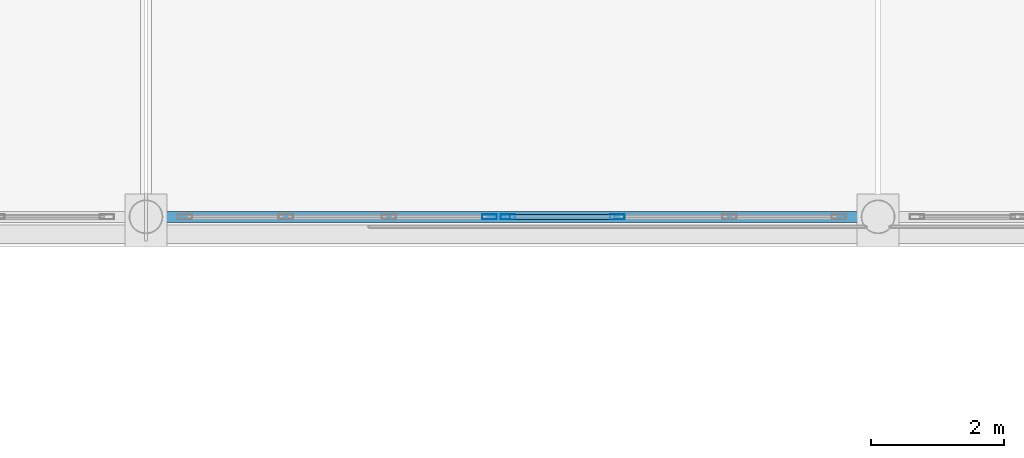
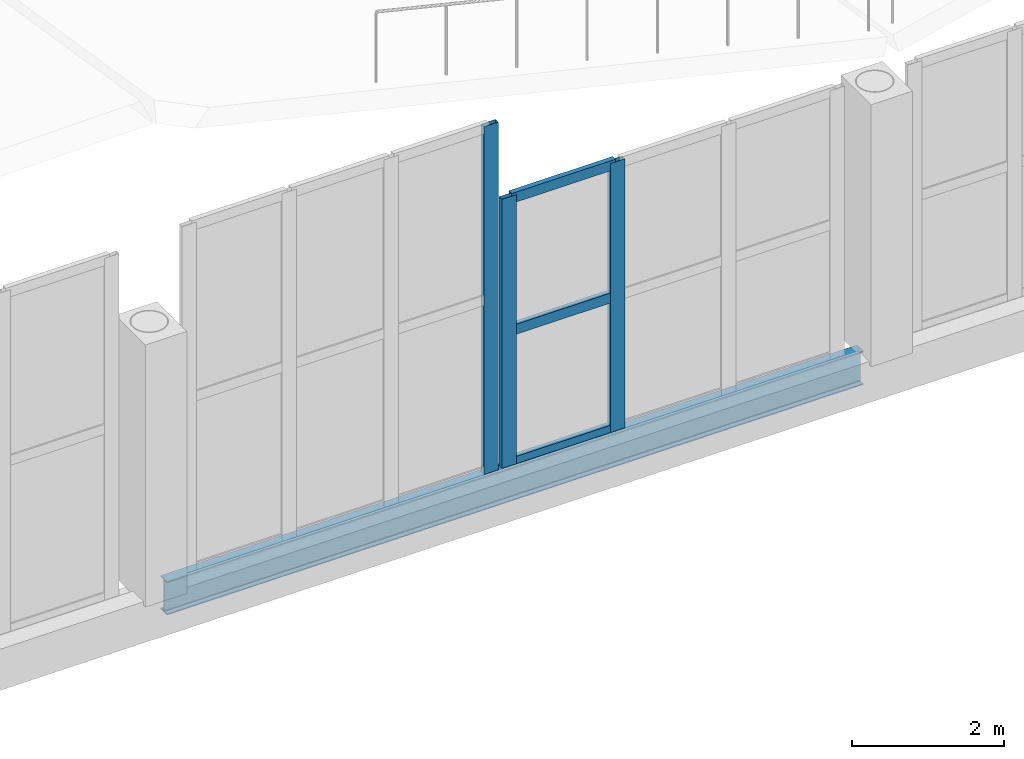
# One storey, part 18 of 120: 6 members, 1 beam, 2 elements without a shape of their own.
"""IFC4 building model written with IfcOpenShell, lengths in metres."""

from ifc_helpers import new_model, si_unit, direction, frame, origin, origin_2d, place, context, subcontext, project, spatial, hollow_rectangle, i_section, extrude, material, material_profile, profile_set, type_object, element, aggregate, save


model = new_model("IFC4")

# Units and contexts
model_context = context("Model", 3, precision=1e-05, world=origin(), true_north=direction((0.0, 1.0)))
body_context = subcontext(model_context, "Body", "Model", "MODEL_VIEW")
ifc_project = project(units=[si_unit("LENGTHUNIT", "METRE"), si_unit("AREAUNIT", "SQUARE_METRE"), si_unit("VOLUMEUNIT", "CUBIC_METRE"), si_unit("PLANEANGLEUNIT", "RADIAN"), si_unit("MASSUNIT", "GRAM", prefix="KILO")], contexts=[model_context])

# Site, building, storey
site_placement = place(None, origin())
site = spatial("IfcSite", under=ifc_project, at=site_placement, CompositionType="ELEMENT")
building_placement = place(site_placement, origin())
building = spatial("IfcBuilding", under=site, at=building_placement, Name="Caurita Quay Ferry Terminal", CompositionType="ELEMENT")
storey_placement = place(building_placement, frame((0.0, 0.0, 9.89990234375)))
storey = spatial("IfcBuildingStorey", under=building, at=storey_placement, Name="L02", CompositionType="ELEMENT", Elevation=9.89990234375)

# Beam
ifc_material_1 = material(Name="Structural steel ASTM A992 Gr. 50", Category="steel")
ifc_material_profile_1 = material_profile(ifc_material_1, i_section(OverallWidth=0.16650390625, OverallDepth=0.535888671875, WebThickness=0.01025390625, FlangeThickness=0.0166015625, FilletRadius=0.013916015625, at=origin_2d()), Name="W21X57")
ifc_profile_set_1 = profile_set([ifc_material_profile_1], Name="Structural steel ASTM A992 Gr. 50")
beam_type = type_object("IfcBeamType", Name="BM-SP-W21B", PredefinedType="SPANDREL", material=ifc_profile_set_1)
beam_placement = place(storey_placement, frame((55.219970703125, 34.60009765625, -0.267822265625), z_axis=(1.0, 0.0, 0.0), x_axis=(0.0, 1.0, 0.0)))
element("IfcBeam", 1, at=beam_placement, inside=storey, type_object=beam_type, Name="V1 Waterside Clerestory Sill Spandrel 55", PredefinedType="SPANDREL", context=body_context, shape_type="SweptSolid", body=[
    extrude(i_section(OverallWidth=0.16650390625, OverallDepth=0.535888671875, WebThickness=0.01025390625, FlangeThickness=0.0166015625, FilletRadius=0.013916015625, at=origin_2d()), origin(), (0.0, 0.0, 1.0), 10.56005859375),
])

# Curtain wall, member
ifc_material_2 = material(Name="Laminated solar-control insulated glass", Category="glass")
curtain_wall_type_1 = type_object("IfcCurtainWallType", Name="CW-SYS-03", PredefinedType="NOTDEFINED", material=ifc_material_2)
curtain_wall_1_placement = place(storey_placement, origin())
curtain_wall_1 = element("IfcCurtainWall", 2, at=curtain_wall_1_placement, inside=storey, type_object=curtain_wall_type_1, Name="Folded Roof Clerestory FB-03-S3", PredefinedType="NOTDEFINED")
ifc_material_3 = material(Name="Anodized aluminium 6063-T6", Category="aluminium")
ifc_material_profile_2 = material_profile(ifc_material_3, hollow_rectangle(XDim=0.074951171875, YDim=0.219970703125, WallThickness=0.00390625, at=origin_2d()), Name="ALU-MUL-75X220")
ifc_profile_set_2 = profile_set([ifc_material_profile_2], Name="Anodized aluminium 6063-T6")
member_type_1 = type_object("IfcMemberType", Name="CW-MUL-220", PredefinedType="MULLION", material=ifc_profile_set_2)
member_1_placement = place(storey_placement, frame((60.16259765625, 34.60009765625, 0.0), z_axis=(0.0, 0.0, 1.0), x_axis=(0.0, 1.0, 0.0)))
member_1 = element("IfcMember", 3, at=member_1_placement, type_object=member_type_1, Name="CW-CLR-019 Mullion 4", PredefinedType="MULLION", context=body_context, shape_type="SweptSolid", body=[
    extrude(hollow_rectangle(XDim=0.074951171875, YDim=0.219970703125, WallThickness=0.00390625, at=origin_2d()), origin(), (0.0, 0.0, 1.0), 5.572998046875),
])
aggregate(curtain_wall_1, [member_1])

# Curtain wall, members
curtain_wall_type_2 = type_object("IfcCurtainWallType", Name="CW-SYS-04", PredefinedType="NOTDEFINED", material=ifc_material_2)
curtain_wall_2_placement = place(storey_placement, origin())
curtain_wall_2 = element("IfcCurtainWall", 4, at=curtain_wall_2_placement, inside=storey, type_object=curtain_wall_type_2, Name="Folded Roof Clerestory FB-03-S4", PredefinedType="NOTDEFINED")
member_2_placement = place(storey_placement, frame((60.4375, 34.60009765625, 0.0), z_axis=(0.0, 0.0, 1.0), x_axis=(0.0, 1.0, 0.0)))
member_2 = element("IfcMember", 5, at=member_2_placement, type_object=member_type_1, Name="CW-CLR-020 Mullion 1", PredefinedType="MULLION", context=body_context, shape_type="SweptSolid", body=[
    extrude(hollow_rectangle(XDim=0.074951171875, YDim=0.219970703125, WallThickness=0.00390625, at=origin_2d()), origin(), (0.0, 0.0, 1.0), 4.31298828125),
])
member_3_placement = place(storey_placement, frame((62.083251953125, 34.60009765625, 0.0), z_axis=(0.0, 0.0, 1.0), x_axis=(0.0, 1.0, 0.0)))
member_3 = element("IfcMember", 6, at=member_3_placement, type_object=member_type_1, Name="CW-CLR-020 Mullion 2", PredefinedType="MULLION", context=body_context, shape_type="SweptSolid", body=[
    extrude(hollow_rectangle(XDim=0.074951171875, YDim=0.219970703125, WallThickness=0.00390625, at=origin_2d()), origin(), (0.0, 0.0, 1.0), 4.31298828125),
])
ifc_material_profile_3 = material_profile(ifc_material_3, hollow_rectangle(XDim=0.074951171875, YDim=0.159912109375, WallThickness=0.00390625, at=origin_2d()), Name="ALU-TRN-75X160")
ifc_profile_set_3 = profile_set([ifc_material_profile_3], Name="Anodized aluminium 6063-T6")
member_type_2 = type_object("IfcMemberType", Name="CW-TRN-160", PredefinedType="USERDEFINED", material=ifc_profile_set_3)
member_4_placement = place(storey_placement, frame((60.472900390625, 34.60009765625, 0.03759765625), z_axis=(1.0, 0.0, 0.0), x_axis=(0.0, 1.0, 0.0)))
member_4 = element("IfcMember", 7, at=member_4_placement, type_object=member_type_2, Name="CW-CLR-020 Transom 1", ObjectType="TRANSOM", PredefinedType="USERDEFINED", context=body_context, shape_type="SweptSolid", body=[
    extrude(hollow_rectangle(XDim=0.074951171875, YDim=0.159912109375, WallThickness=0.00390625, at=origin_2d()), origin(), (0.0, 0.0, 1.0), 1.574951171875),
])
member_5_placement = place(storey_placement, frame((60.472900390625, 34.60009765625, 2.156494140625), z_axis=(1.0, 0.0, 0.0), x_axis=(0.0, 1.0, 0.0)))
member_5 = element("IfcMember", 8, at=member_5_placement, type_object=member_type_2, Name="CW-CLR-020 Transom 2", ObjectType="TRANSOM", PredefinedType="USERDEFINED", context=body_context, shape_type="SweptSolid", body=[
    extrude(hollow_rectangle(XDim=0.074951171875, YDim=0.159912109375, WallThickness=0.00390625, at=origin_2d()), origin(), (0.0, 0.0, 1.0), 1.574951171875),
])
member_6_placement = place(storey_placement, frame((60.472900390625, 34.60009765625, 4.275634765625), z_axis=(1.0, 0.0, 0.0), x_axis=(0.0, 1.0, 0.0)))
member_6 = element("IfcMember", 9, at=member_6_placement, type_object=member_type_2, Name="CW-CLR-020 Transom 3", ObjectType="TRANSOM", PredefinedType="USERDEFINED", context=body_context, shape_type="SweptSolid", body=[
    extrude(hollow_rectangle(XDim=0.074951171875, YDim=0.159912109375, WallThickness=0.00390625, at=origin_2d()), origin(), (0.0, 0.0, 1.0), 1.574951171875),
])
aggregate(curtain_wall_2, [member_2, member_3, member_4, member_5, member_6])

save(model, "model.ifc")
